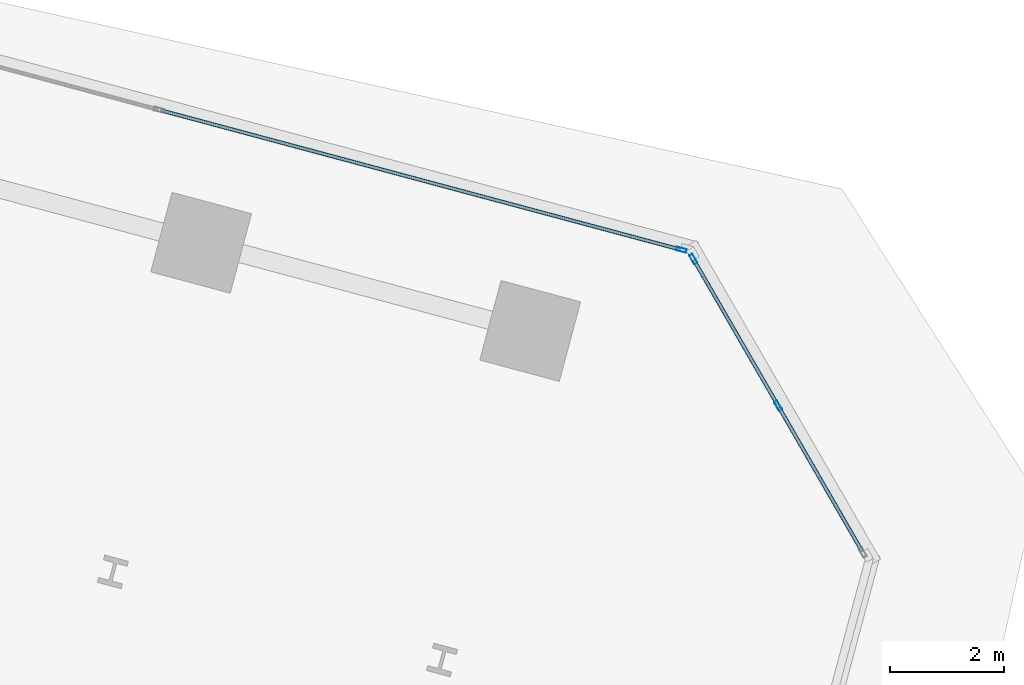
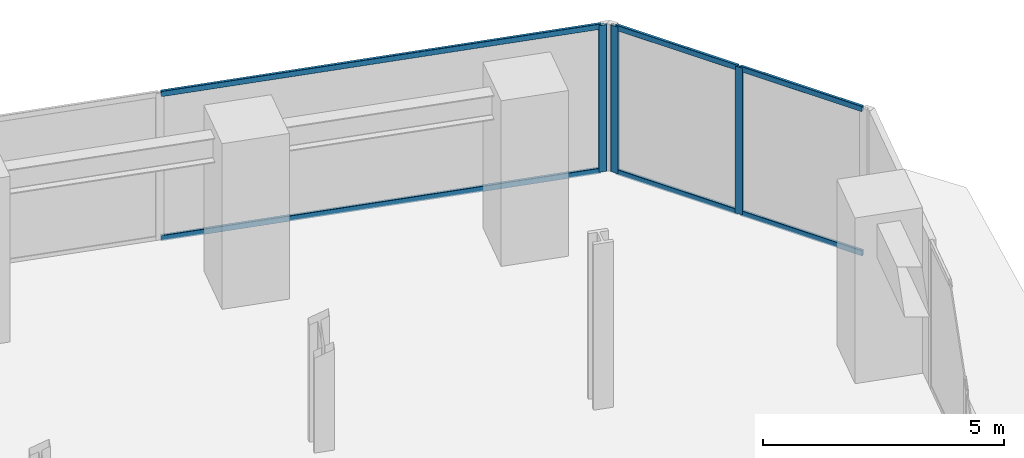
# One storey, part 11 of 26: 9 members, 2 elements without a shape of their own.
"""IFC4 building model written with IfcOpenShell, lengths in metres."""

from ifc_helpers import new_model, si_unit, direction, frame, origin, origin_2d, place, context, subcontext, project, spatial, hollow_rectangle, extrude, source, transform, mapped, material, material_profile, profile_set, type_object, element, aggregate, save


model = new_model("IFC4")

# Units and contexts
model_context = context("Model", 3, precision=1e-05, world=origin(), true_north=direction((0.0, 1.0)))
body_context = subcontext(model_context, "Body", "Model", "MODEL_VIEW")
ifc_project = project(units=[si_unit("LENGTHUNIT", "METRE"), si_unit("AREAUNIT", "SQUARE_METRE"), si_unit("VOLUMEUNIT", "CUBIC_METRE"), si_unit("PLANEANGLEUNIT", "RADIAN"), si_unit("MASSUNIT", "GRAM", prefix="KILO")], contexts=[model_context])

# Site, building, storey
site_placement = place(None, origin())
site = spatial("IfcSite", under=ifc_project, at=site_placement, CompositionType="ELEMENT")
building_placement = place(site_placement, origin())
building = spatial("IfcBuilding", under=site, at=building_placement, Name="Torre Montelarca", CompositionType="ELEMENT")
storey_placement = place(building_placement, frame((0.0, 0.0, 100.0)))
storey = spatial("IfcBuildingStorey", under=building, at=storey_placement, Name="L22", CompositionType="ELEMENT", Elevation=100.0)

# Curtain wall, members
ifc_material_1 = material(Name="Insulated low-E laminated glass", Category="glass")
curtain_wall_type = type_object("IfcCurtainWallType", Name="CW-SYS-Z1", PredefinedType="USERDEFINED", material=ifc_material_1)
curtain_wall_1_placement = place(storey_placement, origin())
curtain_wall_1 = element("IfcCurtainWall", 1, at=curtain_wall_1_placement, inside=storey, type_object=curtain_wall_type, Name="L22 Curtain Wall Run CW-T3-L22-E07-B1", ObjectType="UNITISED GLAZING", PredefinedType="USERDEFINED")
ifc_material_2 = material(Name="Anodised aluminium AA 6063-T6", Category="aluminium")
ifc_material_profile_1 = material_profile(ifc_material_2, hollow_rectangle(XDim=0.06494140625, YDim=0.139892578125, WallThickness=0.00390625, InnerFilletRadius=0.00390625, OuterFilletRadius=0.008056640625, at=origin_2d()), Name="ALU65X140X4", Category="aluminium")
ifc_profile_set_1 = profile_set([ifc_material_profile_1], Name="Anodised aluminium AA 6063-T6")
member_type_1 = type_object("IfcMemberType", Name="CWT-ALU140", PredefinedType="USERDEFINED", material=ifc_profile_set_1)
shared_shape_1 = source(origin(), body_context, "Body", "SweptSolid", [
    extrude(hollow_rectangle(XDim=0.06494140625, YDim=0.139892578125, WallThickness=0.00390625, InnerFilletRadius=0.00390625, OuterFilletRadius=0.008056640625, at=origin_2d()), origin(), (0.0, 0.0, 1.0), 2.918701171875),
])
member_1_placement = place(storey_placement, frame((60.865966796875, 35.82275390625, 0.032470703125), z_axis=(-0.500043453909, 0.866000314205, 0.0), x_axis=(-0.866000314205, -0.500043453909, 0.0)))
member_1 = element("IfcMember", 2, at=member_1_placement, type_object=member_type_1, Name="CW transom 2.1", ObjectType="TRANSOM", PredefinedType="USERDEFINED", context=body_context, shape_type="MappedRepresentation", body=[
    mapped(shared_shape_1, transform((0.0, 0.0, 0.0), scale=1.0)),
])
member_2_placement = place(storey_placement, frame((60.865966796875, 35.82275390625, 3.6875), z_axis=(-0.500043453909, 0.866000314205, 0.0), x_axis=(-0.866000314205, -0.500043453909, 0.0)))
member_2 = element("IfcMember", 3, at=member_2_placement, type_object=member_type_1, Name="CW transom 2.2", ObjectType="TRANSOM", PredefinedType="USERDEFINED", context=body_context, shape_type="MappedRepresentation", body=[
    mapped(shared_shape_1, transform((0.0, 0.0, 0.0), scale=1.0)),
])
shared_shape_2 = source(origin(), body_context, "Body", "SweptSolid", [
    extrude(hollow_rectangle(XDim=0.06494140625, YDim=0.139892578125, WallThickness=0.00390625, InnerFilletRadius=0.00390625, OuterFilletRadius=0.008056640625, at=origin_2d()), origin(), (0.0, 0.0, 1.0), 2.91845703125),
])
member_3_placement = place(storey_placement, frame((62.357666015625, 33.23876953125, 0.032470703125), z_axis=(-0.499980718146, 0.866036535882, 0.0), x_axis=(-0.866036535882, -0.499980718146, 0.0)))
member_3 = element("IfcMember", 4, at=member_3_placement, type_object=member_type_1, Name="CW transom 1.1", ObjectType="TRANSOM", PredefinedType="USERDEFINED", context=body_context, shape_type="MappedRepresentation", body=[
    mapped(shared_shape_2, transform((0.0, 0.0, 0.0), scale=1.0)),
])
member_4_placement = place(storey_placement, frame((62.357666015625, 33.23876953125, 3.6875), z_axis=(-0.499980718146, 0.866036535882, 0.0), x_axis=(-0.866036535882, -0.499980718146, 0.0)))
member_4 = element("IfcMember", 5, at=member_4_placement, type_object=member_type_1, Name="CW transom 1.2", ObjectType="TRANSOM", PredefinedType="USERDEFINED", context=body_context, shape_type="MappedRepresentation", body=[
    mapped(shared_shape_2, transform((0.0, 0.0, 0.0), scale=1.0)),
])
ifc_material_profile_2 = material_profile(ifc_material_2, hollow_rectangle(XDim=0.06494140625, YDim=0.179931640625, WallThickness=0.00390625, InnerFilletRadius=0.00390625, OuterFilletRadius=0.008056640625, at=origin_2d()), Name="ALU65X180X4", Category="aluminium")
ifc_profile_set_2 = profile_set([ifc_material_profile_2], Name="Anodised aluminium AA 6063-T6")
member_type_2 = type_object("IfcMemberType", Name="CWM-ALU180", PredefinedType="MULLION", material=ifc_profile_set_2)
shared_shape_3 = source(origin(), body_context, "Body", "SweptSolid", [
    extrude(hollow_rectangle(XDim=0.06494140625, YDim=0.179931640625, WallThickness=0.00390625, InnerFilletRadius=0.00390625, OuterFilletRadius=0.008056640625, at=origin_2d()), origin(), (0.0, 0.0, 1.0), 3.719970703125),
])
member_5_placement = place(storey_placement, frame((60.882080078125, 35.79443359375, 0.0), z_axis=(0.0, 0.0, 1.0), x_axis=(-0.866020776749, -0.500008014176, 0.0)))
member_5 = element("IfcMember", 6, at=member_5_placement, type_object=member_type_2, Name="CW mullion 2", PredefinedType="MULLION", context=body_context, shape_type="MappedRepresentation", body=[
    mapped(shared_shape_3, transform((0.0, 0.0, 0.0), scale=1.0)),
])
member_6_placement = place(storey_placement, frame((59.39013671875, 38.37841796875, 0.0), z_axis=(0.0, 0.0, 1.0), x_axis=(-0.866020776749, -0.500008014176, 0.0)))
member_6 = element("IfcMember", 7, at=member_6_placement, type_object=member_type_2, Name="CW mullion 3", PredefinedType="MULLION", context=body_context, shape_type="MappedRepresentation", body=[
    mapped(shared_shape_3, transform((0.0, 0.0, 0.0), scale=1.0)),
])
aggregate(curtain_wall_1, [member_5, member_6, member_3, member_4, member_1, member_2])

curtain_wall_2_placement = place(storey_placement, origin())
curtain_wall_2 = element("IfcCurtainWall", 8, at=curtain_wall_2_placement, inside=storey, type_object=curtain_wall_type, Name="L22 Curtain Wall Run CW-T3-L22-E08-B1", ObjectType="UNITISED GLAZING", PredefinedType="USERDEFINED")
member_7_placement = place(storey_placement, frame((59.178466796875, 38.541015625, 0.0), z_axis=(0.0, 0.0, 1.0), x_axis=(-0.258818066495, -0.965926088506, 0.0)))
member_7 = element("IfcMember", 9, at=member_7_placement, type_object=member_type_2, Name="CW mullion 1", PredefinedType="MULLION", context=body_context, shape_type="MappedRepresentation", body=[
    mapped(shared_shape_3, transform((0.0, 0.0, 0.0), scale=1.0)),
])
shared_shape_4 = source(origin(), body_context, "Body", "SweptSolid", [
    extrude(hollow_rectangle(XDim=0.06494140625, YDim=0.139892578125, WallThickness=0.00390625, InnerFilletRadius=0.00390625, OuterFilletRadius=0.008056640625, at=origin_2d()), origin(), (0.0, 0.0, 1.0), 9.45458984375),
])
member_8_placement = place(storey_placement, frame((59.14697265625, 38.54931640625, 0.032470703125), z_axis=(-0.965925229085, 0.25882127389, 0.0), x_axis=(-0.25882127389, -0.965925229085, 0.0)))
member_8 = element("IfcMember", 10, at=member_8_placement, type_object=member_type_1, Name="CW transom 1.1", ObjectType="TRANSOM", PredefinedType="USERDEFINED", context=body_context, shape_type="MappedRepresentation", body=[
    mapped(shared_shape_4, transform((0.0, 0.0, 0.0), scale=1.0)),
])
member_9_placement = place(storey_placement, frame((59.14697265625, 38.54931640625, 3.6875), z_axis=(-0.965925229085, 0.25882127389, 0.0), x_axis=(-0.25882127389, -0.965925229085, 0.0)))
member_9 = element("IfcMember", 11, at=member_9_placement, type_object=member_type_1, Name="CW transom 1.2", ObjectType="TRANSOM", PredefinedType="USERDEFINED", context=body_context, shape_type="MappedRepresentation", body=[
    mapped(shared_shape_4, transform((0.0, 0.0, 0.0), scale=1.0)),
])
aggregate(curtain_wall_2, [member_7, member_8, member_9])

save(model, "model.ifc")
